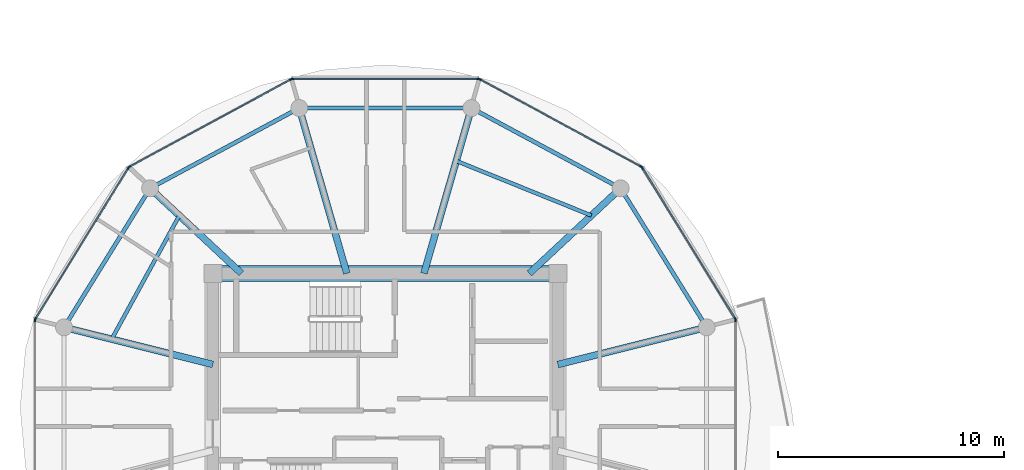
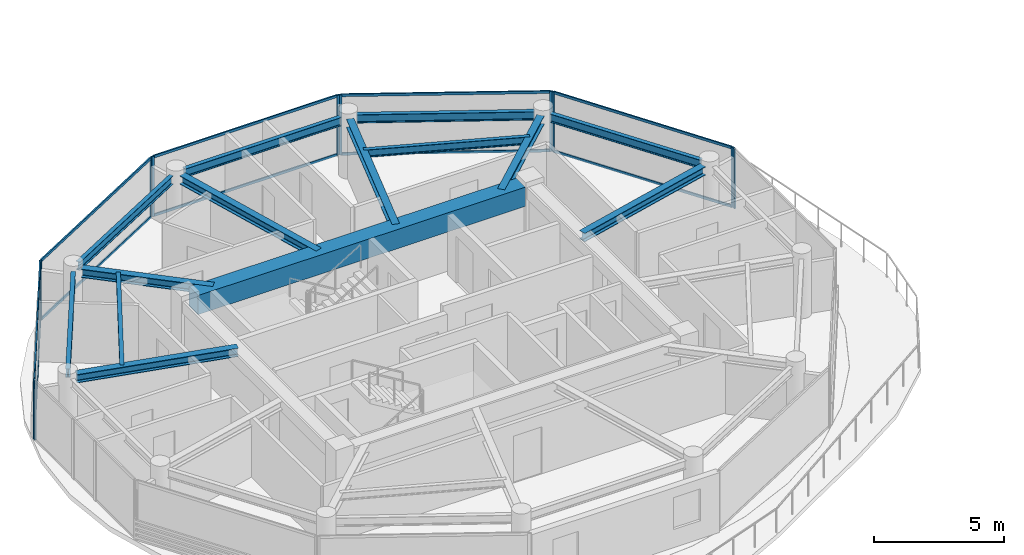
# One storey, part 4 of 19: 22 members, 14 beams, 7 elements without a shape of their own.
"""IFC4 building model written with IfcOpenShell, lengths in metres."""

from ifc_helpers import new_model, si_unit, direction, frame, origin, origin_2d, place, context, subcontext, project, spatial, rectangle, i_section, extrude, source, transform, mapped, material, layer, layer_set, material_profile, profile_set, type_object, type_shapes, element, aggregate, save


model = new_model("IFC4")

# Units and contexts
model_context = context("Model", 3, precision=1e-05, world=origin(), true_north=direction((0.0, 1.0)))
body_context = subcontext(model_context, "Body", "Model", "MODEL_VIEW")
ifc_project = project(units=[si_unit("LENGTHUNIT", "METRE"), si_unit("AREAUNIT", "SQUARE_METRE"), si_unit("VOLUMEUNIT", "CUBIC_METRE"), si_unit("PLANEANGLEUNIT", "RADIAN"), si_unit("MASSUNIT", "GRAM", prefix="KILO")], contexts=[model_context])

# Site, building, storey
site_placement = place(None, origin())
site = spatial("IfcSite", under=ifc_project, at=site_placement, CompositionType="ELEMENT")
building_placement = place(site_placement, origin())
building = spatial("IfcBuilding", under=site, at=building_placement, Name="Norrkilde Senior Care Towers", CompositionType="ELEMENT")
storey_placement = place(building_placement, frame((0.0, 0.0, 238.300048828125)))
storey = spatial("IfcBuildingStorey", under=building, at=storey_placement, Name="L74", CompositionType="ELEMENT", Elevation=238.300048828125)

# Beams
ifc_material_1 = material(Name="Concrete C60/75", Category="concrete")
ifc_material_profile_1 = material_profile(ifc_material_1, rectangle(XDim=0.699951171875, YDim=0.89990234375, at=origin_2d()), Name="RC BM 700x900")
ifc_profile_set_1 = profile_set([ifc_material_profile_1], Name="Concrete C60/75")
beam_type_1 = type_object("IfcBeamType", Name="Core Coupling Girder 700x900", PredefinedType="USERDEFINED", material=ifc_profile_set_1)
shared_shape_1 = source(origin(), body_context, "Body", "SweptSolid", [
    extrude(rectangle(XDim=0.699951171875, YDim=0.89990234375, at=origin_2d()), origin(), (0.0, 0.0, 1.0), 14.5400390625),
])
type_shapes(beam_type_1, [shared_shape_1])
beam_1_placement = place(storey_placement, frame((-35.27001953125, 5.949951171875, 2.35986328125), z_axis=(1.0, 0.0, 0.0), x_axis=(0.0, 1.0, 0.0)))
element("IfcBeam", 1, at=beam_1_placement, inside=storey, type_object=beam_type_1, Name="L74 Core W N Coupling Girder", ObjectType="GIRDER", PredefinedType="USERDEFINED", context=body_context, shape_type="MappedRepresentation", body=[
    mapped(shared_shape_1, transform((0.0, 0.0, 0.0), x_axis=(1.0, 0.0, 0.0), y_axis=(0.0, 1.0, 0.0), z_axis=(0.0, 0.0, 1.0), scale=1.0)),
])
ifc_material_2 = material(Name="Steel S355", Category="steel")
ifc_material_profile_2 = material_profile(ifc_material_2, i_section(OverallWidth=0.179931640625, OverallDepth=0.39990234375, WebThickness=0.008544921875, FlangeThickness=0.013427734375, FilletRadius=0.02099609375, at=origin_2d()), Name="IPE 400")
ifc_profile_set_2 = profile_set([ifc_material_profile_2], Name="Steel S355")
beam_type_2 = type_object("IfcBeamType", Name="Perimeter Ring Spandrel Z4 IPE400", PredefinedType="SPANDREL", material=ifc_profile_set_2)
shared_shape_2 = source(origin(), body_context, "Body", "SweptSolid", [
    extrude(i_section(OverallWidth=0.179931640625, OverallDepth=0.39990234375, WebThickness=0.008544921875, FlangeThickness=0.013427734375, FilletRadius=0.02099609375, at=origin_2d()), origin(), (0.0, 0.0, 1.0), 6.58056640625),
])
for number, where, z_axis, x_axis, name in (
    (2, (-13.928955078125, 3.843505859375, 2.60986328125), (-0.526529583789, 0.850156807533, 0.0), (-0.850156807533, -0.526529583789, 0.0), "L74 Drum W Perimeter Spandrel 01"),
    (3, (-38.606201171875, 9.43798828125, 2.60986328125), (-0.526529583789, -0.850156807533, 0.0), (0.850156807533, -0.526529583789, 0.0), "L74 Drum W Perimeter Spandrel 05"),
):
    element("IfcBeam", number, at=place(storey_placement, frame(where, z_axis=z_axis, x_axis=x_axis)), inside=storey, type_object=beam_type_2, Name=name, PredefinedType="SPANDREL", context=body_context, shape_type="MappedRepresentation", body=[
        mapped(shared_shape_2, transform((0.0, 0.0, 0.0), x_axis=(1.0, 0.0, 0.0), y_axis=(0.0, 1.0, 0.0), z_axis=(0.0, 0.0, 1.0), scale=1.0)),
    ])
ifc_material_profile_3 = material_profile(ifc_material_2, i_section(OverallWidth=0.300048828125, OverallDepth=0.39990234375, WebThickness=0.013427734375, FlangeThickness=0.02392578125, FilletRadius=0.027099609375, at=origin_2d()), Name="HEB 400")
ifc_profile_set_3 = profile_set([ifc_material_profile_3], Name="Steel S355")
beam_type_3 = type_object("IfcBeamType", Name="Radial Floor Beam Z4 HEB400", PredefinedType="BEAM", material=ifc_profile_set_3)
shared_shape_3 = source(origin(), body_context, "Body", "SweptSolid", [
    extrude(i_section(OverallWidth=0.300048828125, OverallDepth=0.39990234375, WebThickness=0.013427734375, FlangeThickness=0.02392578125, FilletRadius=0.027099609375, at=origin_2d()), origin(), (0.0, 0.0, 1.0), 6.465087890625),
])
for number, where, z_axis, x_axis, name in (
    (4, (-20.35009765625, 1.910888671875, 2.60986328125), (0.970195788563, 0.242322371758, 0.0), (-0.242322371758, 0.970195788563, 0.0), "L74 Drum W Radial Floor Beam 01"),
    (5, (-35.64990234375, 1.910888671875, 2.60986328125), (-0.970195788563, 0.242322371758, 0.0), (-0.242322371758, -0.970195788563, 0.0), "L74 Drum W Radial Floor Beam 06"),
):
    element("IfcBeam", number, at=place(storey_placement, frame(where, z_axis=z_axis, x_axis=x_axis)), inside=storey, type_object=beam_type_3, Name=name, PredefinedType="BEAM", context=body_context, shape_type="MappedRepresentation", body=[
        mapped(shared_shape_3, transform((0.0, 0.0, 0.0), x_axis=(1.0, 0.0, 0.0), y_axis=(0.0, 1.0, 0.0), z_axis=(0.0, 0.0, 1.0), scale=1.0)),
    ])
shared_shape_4 = source(origin(), body_context, "Body", "SweptSolid", [
    extrude(i_section(OverallWidth=0.179931640625, OverallDepth=0.39990234375, WebThickness=0.008544921875, FlangeThickness=0.013427734375, FilletRadius=0.02099609375, at=origin_2d()), origin(), (0.0, 0.0, 1.0), 6.839111328125),
])
for number, where, z_axis, x_axis, name in (
    (6, (-17.865234375, 9.881591796875, 2.60986328125), (-0.880563930732, 0.473927382511, 0.0), (-0.473927382511, -0.880563930732, 0.0), "L74 Drum W Perimeter Spandrel 02"),
    (7, (-32.112548828125, 13.122802734375, 2.60986328125), (-0.880563930732, -0.473927382511, 0.0), (0.473927382511, -0.880563930732, 0.0), "L74 Drum W Perimeter Spandrel 04"),
):
    element("IfcBeam", number, at=place(storey_placement, frame(where, z_axis=z_axis, x_axis=x_axis)), inside=storey, type_object=beam_type_2, Name=name, PredefinedType="SPANDREL", context=body_context, shape_type="MappedRepresentation", body=[
        mapped(shared_shape_4, transform((0.0, 0.0, 0.0), x_axis=(1.0, 0.0, 0.0), y_axis=(0.0, 1.0, 0.0), z_axis=(0.0, 0.0, 1.0), scale=1.0)),
    ])
shared_shape_5 = source(origin(), body_context, "Body", "SweptSolid", [
    extrude(i_section(OverallWidth=0.300048828125, OverallDepth=0.39990234375, WebThickness=0.013427734375, FlangeThickness=0.02392578125, FilletRadius=0.027099609375, at=origin_2d()), origin(), (0.0, 0.0, 1.0), 5.197998046875),
])
for number, where, z_axis, x_axis, name in (
    (8, (-21.6171875, 5.949951171875, 2.60986328125), (0.731448749334, 0.681896419625, 0.0), (-0.681896419625, 0.731448749334, 0.0), "L74 Drum W Radial Floor Beam 02"),
    (9, (-34.3828125, 5.949951171875, 2.60986328125), (-0.731448749334, 0.681896419625, 0.0), (-0.681896419625, -0.731448749334, 0.0), "L74 Drum W Radial Floor Beam 05"),
):
    element("IfcBeam", number, at=place(storey_placement, frame(where, z_axis=z_axis, x_axis=x_axis)), inside=storey, type_object=beam_type_3, Name=name, PredefinedType="BEAM", context=body_context, shape_type="MappedRepresentation", body=[
        mapped(shared_shape_5, transform((0.0, 0.0, 0.0), x_axis=(1.0, 0.0, 0.0), y_axis=(0.0, 1.0, 0.0), z_axis=(0.0, 0.0, 1.0), scale=1.0)),
    ])
shared_shape_6 = source(origin(), body_context, "Body", "SweptSolid", [
    extrude(i_section(OverallWidth=0.179931640625, OverallDepth=0.39990234375, WebThickness=0.008544921875, FlangeThickness=0.013427734375, FilletRadius=0.02099609375, at=origin_2d()), origin(), (0.0, 0.0, 1.0), 6.96533203125),
])
type_shapes(beam_type_2, [shared_shape_2, shared_shape_4, shared_shape_6])
beam_2_placement = place(storey_placement, frame((-24.517333984375, 13.281494140625, 2.60986328125), z_axis=(-1.0, 0.0, 0.0), x_axis=(0.0, -1.0, 0.0)))
element("IfcBeam", 10, at=beam_2_placement, inside=storey, type_object=beam_type_2, Name="L74 Drum W Perimeter Spandrel 03", PredefinedType="SPANDREL", context=body_context, shape_type="MappedRepresentation", body=[
    mapped(shared_shape_6, transform((0.0, 0.0, 0.0), x_axis=(1.0, 0.0, 0.0), y_axis=(0.0, 1.0, 0.0), z_axis=(0.0, 0.0, 1.0), scale=1.0)),
])
shared_shape_7 = source(origin(), body_context, "Body", "SweptSolid", [
    extrude(i_section(OverallWidth=0.300048828125, OverallDepth=0.39990234375, WebThickness=0.013427734375, FlangeThickness=0.02392578125, FilletRadius=0.027099609375, at=origin_2d()), origin(), (0.0, 0.0, 1.0), 7.29345703125),
])
type_shapes(beam_type_3, [shared_shape_3, shared_shape_5, shared_shape_7])
for number, where, z_axis, x_axis, name in (
    (11, (-26.289794921875, 5.949951171875, 2.60986328125), (0.276263751906, 0.961081858836, 0.0), (-0.961081858836, 0.276263751906, 0.0), "L74 Drum W Radial Floor Beam 03"),
    (12, (-29.710205078125, 5.949951171875, 2.60986328125), (-0.276263751906, 0.961081858836, 0.0), (-0.961081858836, -0.276263751906, 0.0), "L74 Drum W Radial Floor Beam 04"),
):
    element("IfcBeam", number, at=place(storey_placement, frame(where, z_axis=z_axis, x_axis=x_axis)), inside=storey, type_object=beam_type_3, Name=name, PredefinedType="BEAM", context=body_context, shape_type="MappedRepresentation", body=[
        mapped(shared_shape_7, transform((0.0, 0.0, 0.0), x_axis=(1.0, 0.0, 0.0), y_axis=(0.0, 1.0, 0.0), z_axis=(0.0, 0.0, 1.0), scale=1.0)),
    ])
ifc_material_profile_4 = material_profile(ifc_material_2, i_section(OverallWidth=0.169921875, OverallDepth=0.360107421875, WebThickness=0.008056640625, FlangeThickness=0.0126953125, FilletRadius=0.01806640625, at=origin_2d()), Name="IPE 360")
ifc_profile_set_4 = profile_set([ifc_material_profile_4], Name="Steel S355")
beam_type_4 = type_object("IfcBeamType", Name="Secondary Floor Joist IPE360", PredefinedType="JOIST", material=ifc_profile_set_4)
shared_shape_8 = source(origin(), body_context, "Body", "SweptSolid", [
    extrude(i_section(OverallWidth=0.169921875, OverallDepth=0.360107421875, WebThickness=0.008056640625, FlangeThickness=0.0126953125, FilletRadius=0.01806640625, at=origin_2d()), origin(), (0.0, 0.0, 1.0), 6.461669921875),
])
beam_3_placement = place(storey_placement, frame((-18.865234375, 8.515380859375, 2.6298828125), z_axis=(-0.927225942298, 0.374502405772, 0.0), x_axis=(-0.374502405772, -0.927225942298, 0.0)))
element("IfcBeam", 13, at=beam_3_placement, inside=storey, type_object=beam_type_4, Name="L74 Drum W Secondary Floor Joist 1", PredefinedType="JOIST", context=body_context, shape_type="MappedRepresentation", body=[
    mapped(shared_shape_8, transform((0.0, 0.0, 0.0), x_axis=(1.0, 0.0, 0.0), y_axis=(0.0, 1.0, 0.0), z_axis=(0.0, 0.0, 1.0), scale=1.0)),
])
shared_shape_9 = source(origin(), body_context, "Body", "SweptSolid", [
    extrude(i_section(OverallWidth=0.169921875, OverallDepth=0.360107421875, WebThickness=0.008056640625, FlangeThickness=0.0126953125, FilletRadius=0.01806640625, at=origin_2d()), origin(), (0.0, 0.0, 1.0), 6.25146484375),
])
type_shapes(beam_type_4, [shared_shape_8, shared_shape_9])
beam_4_placement = place(storey_placement, frame((-37.134765625, 8.515380859375, 2.6298828125), z_axis=(-0.480115752653, -0.877205143655, 0.0), x_axis=(0.877205143655, -0.480115752653, 0.0)))
element("IfcBeam", 14, at=beam_4_placement, inside=storey, type_object=beam_type_4, Name="L74 Drum W Secondary Floor Joist 2", PredefinedType="JOIST", context=body_context, shape_type="MappedRepresentation", body=[
    mapped(shared_shape_9, transform((0.0, 0.0, 0.0), x_axis=(1.0, 0.0, 0.0), y_axis=(0.0, 1.0, 0.0), z_axis=(0.0, 0.0, 1.0), scale=1.0)),
])

# Curtain wall, members
ifc_material_3 = material(Name="Triple Low-E Insulated Glazing", Category="glass")
ifc_layer = layer(ifc_material_3, 0.18505859375)
ifc_layer_set = layer_set([ifc_layer], Name="Triple Low-E Insulated Glazing")
curtain_wall_type = type_object("IfcCurtainWallType", Name="CW6 Zone 4 Crown Pavilion Curtain Wall", PredefinedType="NOTDEFINED", material=ifc_layer_set)
curtain_wall_1_placement = place(storey_placement, origin())
curtain_wall_1 = element("IfcCurtainWall", 15, at=curtain_wall_1_placement, inside=storey, type_object=curtain_wall_type, Name="L74 Drum W Curtain Wall 00", PredefinedType="NOTDEFINED")
ifc_material_4 = material(Name="Anodised Aluminium", Category="aluminium")
ifc_material_profile_5 = material_profile(ifc_material_4, rectangle(XDim=0.06494140625, YDim=0.14990234375, at=origin_2d()), Name="ALU MULL 65x150")
ifc_profile_set_5 = profile_set([ifc_material_profile_5], Name="Anodised Aluminium")
member_type_1 = type_object("IfcMemberType", Name="Curtain Wall Mullion Z3-Z4 65x150", PredefinedType="MULLION", material=ifc_profile_set_5)
shared_shape_10 = source(origin(), body_context, "Body", "SweptSolid", [
    extrude(rectangle(XDim=0.06494140625, YDim=0.14990234375, at=origin_2d()), origin(), (0.0, 0.0, 1.0), 2.81005859375),
])
type_shapes(member_type_1, [shared_shape_10])
member_1_placement = place(storey_placement, frame((-16.61279296875, 10.635498046875, 0.0), z_axis=(0.0, 0.0, 1.0), x_axis=(0.851562727283, 0.524252726748, 0.0)))
member_1 = element("IfcMember", 16, at=member_1_placement, type_object=member_type_1, Name="CW-6 mullion 1", PredefinedType="MULLION", context=body_context, shape_type="MappedRepresentation", body=[
    mapped(shared_shape_10, transform((0.0, 0.0, 0.0), x_axis=(1.0, 0.0, 0.0), y_axis=(0.0, 1.0, 0.0), z_axis=(0.0, 0.0, 1.0), scale=1.0)),
])
member_2_placement = place(storey_placement, frame((-12.48486328125, 3.9306640625, 0.0), z_axis=(0.0, 0.0, 1.0), x_axis=(0.851562727283, 0.524252726748, 0.0)))
member_2 = element("IfcMember", 17, at=member_2_placement, type_object=member_type_1, Name="CW-6 mullion 2", PredefinedType="MULLION", context=body_context, shape_type="MappedRepresentation", body=[
    mapped(shared_shape_10, transform((0.0, 0.0, 0.0), x_axis=(1.0, 0.0, 0.0), y_axis=(0.0, 1.0, 0.0), z_axis=(0.0, 0.0, 1.0), scale=1.0)),
])

curtain_wall_2_placement = place(storey_placement, origin())
curtain_wall_2 = element("IfcCurtainWall", 18, at=curtain_wall_2_placement, inside=storey, type_object=curtain_wall_type, Name="L74 Drum W Curtain Wall 01", PredefinedType="NOTDEFINED")
member_3_placement = place(storey_placement, frame((-23.8095703125, 14.55078125, 0.0), z_axis=(0.0, 0.0, 1.0), x_axis=(0.476132676136, 0.879373455772, 0.0)))
member_3 = element("IfcMember", 19, at=member_3_placement, type_object=member_type_1, Name="CW-6 mullion 1", PredefinedType="MULLION", context=body_context, shape_type="MappedRepresentation", body=[
    mapped(shared_shape_10, transform((0.0, 0.0, 0.0), x_axis=(1.0, 0.0, 0.0), y_axis=(0.0, 1.0, 0.0), z_axis=(0.0, 0.0, 1.0), scale=1.0)),
])
member_4_placement = place(storey_placement, frame((-16.658203125, 10.6787109375, 0.0), z_axis=(0.0, 0.0, 1.0), x_axis=(0.476132676136, 0.879373455772, 0.0)))
member_4 = element("IfcMember", 20, at=member_4_placement, type_object=member_type_1, Name="CW-6 mullion 2", PredefinedType="MULLION", context=body_context, shape_type="MappedRepresentation", body=[
    mapped(shared_shape_10, transform((0.0, 0.0, 0.0), x_axis=(1.0, 0.0, 0.0), y_axis=(0.0, 1.0, 0.0), z_axis=(0.0, 0.0, 1.0), scale=1.0)),
])

curtain_wall_3_placement = place(storey_placement, origin())
curtain_wall_3 = element("IfcCurtainWall", 21, at=curtain_wall_3_placement, inside=storey, type_object=curtain_wall_type, Name="L74 Drum W Curtain Wall 02", PredefinedType="NOTDEFINED")
member_5_placement = place(storey_placement, frame((-32.12939453125, 14.566162109375, 0.0), z_axis=(0.0, 0.0, 1.0), x_axis=(0.0, 1.0, 0.0)))
member_5 = element("IfcMember", 22, at=member_5_placement, type_object=member_type_1, Name="CW-6 mullion 1", PredefinedType="MULLION", context=body_context, shape_type="MappedRepresentation", body=[
    mapped(shared_shape_10, transform((0.0, 0.0, 0.0), x_axis=(1.0, 0.0, 0.0), y_axis=(0.0, 1.0, 0.0), z_axis=(0.0, 0.0, 1.0), scale=1.0)),
])
member_6_placement = place(storey_placement, frame((-23.87060546875, 14.566162109375, 0.0), z_axis=(0.0, 0.0, 1.0), x_axis=(0.0, 1.0, 0.0)))
member_6 = element("IfcMember", 23, at=member_6_placement, type_object=member_type_1, Name="CW-6 mullion 2", PredefinedType="MULLION", context=body_context, shape_type="MappedRepresentation", body=[
    mapped(shared_shape_10, transform((0.0, 0.0, 0.0), x_axis=(1.0, 0.0, 0.0), y_axis=(0.0, 1.0, 0.0), z_axis=(0.0, 0.0, 1.0), scale=1.0)),
])

curtain_wall_4_placement = place(storey_placement, origin())
curtain_wall_4 = element("IfcCurtainWall", 24, at=curtain_wall_4_placement, inside=storey, type_object=curtain_wall_type, Name="L74 Drum W Curtain Wall 03", PredefinedType="NOTDEFINED")
member_7_placement = place(storey_placement, frame((-39.341796875, 10.6787109375, 0.0), z_axis=(0.0, 0.0, 1.0), x_axis=(-0.476132676136, 0.879373455772, 0.0)))
member_7 = element("IfcMember", 25, at=member_7_placement, type_object=member_type_1, Name="CW-6 mullion 1", PredefinedType="MULLION", context=body_context, shape_type="MappedRepresentation", body=[
    mapped(shared_shape_10, transform((0.0, 0.0, 0.0), x_axis=(1.0, 0.0, 0.0), y_axis=(0.0, 1.0, 0.0), z_axis=(0.0, 0.0, 1.0), scale=1.0)),
])
member_8_placement = place(storey_placement, frame((-32.1904296875, 14.55078125, 0.0), z_axis=(0.0, 0.0, 1.0), x_axis=(-0.476132676136, 0.879373455772, 0.0)))
member_8 = element("IfcMember", 26, at=member_8_placement, type_object=member_type_1, Name="CW-6 mullion 2", PredefinedType="MULLION", context=body_context, shape_type="MappedRepresentation", body=[
    mapped(shared_shape_10, transform((0.0, 0.0, 0.0), x_axis=(1.0, 0.0, 0.0), y_axis=(0.0, 1.0, 0.0), z_axis=(0.0, 0.0, 1.0), scale=1.0)),
])

curtain_wall_5_placement = place(storey_placement, origin())
curtain_wall_5 = element("IfcCurtainWall", 27, at=curtain_wall_5_placement, inside=storey, type_object=curtain_wall_type, Name="L74 Drum W Curtain Wall 04", PredefinedType="NOTDEFINED")
member_9_placement = place(storey_placement, frame((-43.51513671875, 3.9306640625, 0.0), z_axis=(0.0, 0.0, 1.0), x_axis=(-0.851562727283, 0.524252726748, 0.0)))
member_9 = element("IfcMember", 28, at=member_9_placement, type_object=member_type_1, Name="CW-6 mullion 1", PredefinedType="MULLION", context=body_context, shape_type="MappedRepresentation", body=[
    mapped(shared_shape_10, transform((0.0, 0.0, 0.0), x_axis=(1.0, 0.0, 0.0), y_axis=(0.0, 1.0, 0.0), z_axis=(0.0, 0.0, 1.0), scale=1.0)),
])
member_10_placement = place(storey_placement, frame((-39.38720703125, 10.635498046875, 0.0), z_axis=(0.0, 0.0, 1.0), x_axis=(-0.851562727283, 0.524252726748, 0.0)))
member_10 = element("IfcMember", 29, at=member_10_placement, type_object=member_type_1, Name="CW-6 mullion 2", PredefinedType="MULLION", context=body_context, shape_type="MappedRepresentation", body=[
    mapped(shared_shape_10, transform((0.0, 0.0, 0.0), x_axis=(1.0, 0.0, 0.0), y_axis=(0.0, 1.0, 0.0), z_axis=(0.0, 0.0, 1.0), scale=1.0)),
])

# Curtain wall, member
curtain_wall_6_placement = place(storey_placement, origin())
curtain_wall_6 = element("IfcCurtainWall", 30, at=curtain_wall_6_placement, inside=storey, type_object=curtain_wall_type, Name="L74 Drum W Curtain Wall 05", PredefinedType="NOTDEFINED")
member_11_placement = place(storey_placement, frame((-43.531982421875, 3.87060546875, 0.0), z_axis=(0.0, 0.0, 1.0), x_axis=(-1.0, 0.0, 0.0)))
member_11 = element("IfcMember", 31, at=member_11_placement, type_object=member_type_1, Name="CW-6 mullion 2", PredefinedType="MULLION", context=body_context, shape_type="MappedRepresentation", body=[
    mapped(shared_shape_10, transform((0.0, 0.0, 0.0), x_axis=(1.0, 0.0, 0.0), y_axis=(0.0, 1.0, 0.0), z_axis=(0.0, 0.0, 1.0), scale=1.0)),
])
aggregate(curtain_wall_6, [member_11])

curtain_wall_7_placement = place(storey_placement, origin())
curtain_wall_7 = element("IfcCurtainWall", 32, at=curtain_wall_7_placement, inside=storey, type_object=curtain_wall_type, Name="L74 Drum W Curtain Wall 11", PredefinedType="NOTDEFINED")
member_12_placement = place(storey_placement, frame((-12.468017578125, 3.87060546875, 0.0), z_axis=(0.0, 0.0, 1.0), x_axis=(1.0, 0.0, 0.0)))
member_12 = element("IfcMember", 33, at=member_12_placement, type_object=member_type_1, Name="CW-6 mullion 1", PredefinedType="MULLION", context=body_context, shape_type="MappedRepresentation", body=[
    mapped(shared_shape_10, transform((0.0, 0.0, 0.0), x_axis=(1.0, 0.0, 0.0), y_axis=(0.0, 1.0, 0.0), z_axis=(0.0, 0.0, 1.0), scale=1.0)),
])
aggregate(curtain_wall_7, [member_12])

# Member
ifc_material_profile_6 = material_profile(ifc_material_4, rectangle(XDim=0.06005859375, YDim=0.1201171875, at=origin_2d()), Name="ALU TRAN 60x120")
ifc_profile_set_6 = profile_set([ifc_material_profile_6], Name="Anodised Aluminium")
member_type_2 = type_object("IfcMemberType", Name="Curtain Wall Transom Typical 60x120", PredefinedType="USERDEFINED", material=ifc_profile_set_6)
shared_shape_11 = source(origin(), body_context, "Body", "SweptSolid", [
    extrude(rectangle(XDim=0.06005859375, YDim=0.1201171875, at=origin_2d()), origin(), (0.0, 0.0, 1.0), 7.808837890625),
])
member_13_placement = place(storey_placement, frame((-16.595703125, 10.60791015625, 0.030029296875), z_axis=(0.524250924101, -0.851563837055, 0.0), x_axis=(0.851563837055, 0.524250924101, 0.0)))
member_13 = element("IfcMember", 34, at=member_13_placement, type_object=member_type_2, Name="CW-6 transom 1.1", ObjectType="TRANSOM", PredefinedType="USERDEFINED", context=body_context, shape_type="MappedRepresentation", body=[
    mapped(shared_shape_11, transform((0.0, 0.0, 0.0), x_axis=(1.0, 0.0, 0.0), y_axis=(0.0, 1.0, 0.0), z_axis=(0.0, 0.0, 1.0), scale=1.0)),
])

member_14_placement = place(storey_placement, frame((-16.595703125, 10.60791015625, 2.780029296875), z_axis=(0.524250924101, -0.851563837055, 0.0), x_axis=(0.851563837055, 0.524250924101, 0.0)))
member_14 = element("IfcMember", 35, at=member_14_placement, type_object=member_type_2, Name="CW-6 transom 1.2", ObjectType="TRANSOM", PredefinedType="USERDEFINED", context=body_context, shape_type="MappedRepresentation", body=[
    mapped(shared_shape_11, transform((0.0, 0.0, 0.0), x_axis=(1.0, 0.0, 0.0), y_axis=(0.0, 1.0, 0.0), z_axis=(0.0, 0.0, 1.0), scale=1.0)),
])

aggregate(curtain_wall_1, [member_1, member_2, member_13, member_14])

member_15_placement = place(storey_placement, frame((-43.498046875, 3.958251953125, 0.030029296875), z_axis=(0.524250924101, 0.851563837055, 0.0), x_axis=(-0.851563837055, 0.524250924101, 0.0)))
member_15 = element("IfcMember", 36, at=member_15_placement, type_object=member_type_2, Name="CW-6 transom 1.1", ObjectType="TRANSOM", PredefinedType="USERDEFINED", context=body_context, shape_type="MappedRepresentation", body=[
    mapped(shared_shape_11, transform((0.0, 0.0, 0.0), x_axis=(1.0, 0.0, 0.0), y_axis=(0.0, 1.0, 0.0), z_axis=(0.0, 0.0, 1.0), scale=1.0)),
])

member_16_placement = place(storey_placement, frame((-43.498046875, 3.958251953125, 2.780029296875), z_axis=(0.524250924101, 0.851563837055, 0.0), x_axis=(-0.851563837055, 0.524250924101, 0.0)))
member_16 = element("IfcMember", 37, at=member_16_placement, type_object=member_type_2, Name="CW-6 transom 1.2", ObjectType="TRANSOM", PredefinedType="USERDEFINED", context=body_context, shape_type="MappedRepresentation", body=[
    mapped(shared_shape_11, transform((0.0, 0.0, 0.0), x_axis=(1.0, 0.0, 0.0), y_axis=(0.0, 1.0, 0.0), z_axis=(0.0, 0.0, 1.0), scale=1.0)),
])

aggregate(curtain_wall_5, [member_9, member_10, member_15, member_16])

shared_shape_12 = source(origin(), body_context, "Body", "SweptSolid", [
    extrude(rectangle(XDim=0.06005859375, YDim=0.1201171875, at=origin_2d()), origin(), (0.0, 0.0, 1.0), 8.19384765625),
])
member_17_placement = place(storey_placement, frame((-32.096923828125, 14.566162109375, 0.030029296875), z_axis=(1.0, 0.0, 0.0), x_axis=(0.0, 1.0, 0.0)))
member_17 = element("IfcMember", 38, at=member_17_placement, type_object=member_type_2, Name="CW-6 transom 1.1", ObjectType="TRANSOM", PredefinedType="USERDEFINED", context=body_context, shape_type="MappedRepresentation", body=[
    mapped(shared_shape_12, transform((0.0, 0.0, 0.0), x_axis=(1.0, 0.0, 0.0), y_axis=(0.0, 1.0, 0.0), z_axis=(0.0, 0.0, 1.0), scale=1.0)),
])

member_18_placement = place(storey_placement, frame((-32.096923828125, 14.566162109375, 2.780029296875), z_axis=(1.0, 0.0, 0.0), x_axis=(0.0, 1.0, 0.0)))
member_18 = element("IfcMember", 39, at=member_18_placement, type_object=member_type_2, Name="CW-6 transom 1.2", ObjectType="TRANSOM", PredefinedType="USERDEFINED", context=body_context, shape_type="MappedRepresentation", body=[
    mapped(shared_shape_12, transform((0.0, 0.0, 0.0), x_axis=(1.0, 0.0, 0.0), y_axis=(0.0, 1.0, 0.0), z_axis=(0.0, 0.0, 1.0), scale=1.0)),
])

aggregate(curtain_wall_3, [member_5, member_6, member_17, member_18])

shared_shape_13 = source(origin(), body_context, "Body", "SweptSolid", [
    extrude(rectangle(XDim=0.06005859375, YDim=0.1201171875, at=origin_2d()), origin(), (0.0, 0.0, 1.0), 8.0673828125),
])
type_shapes(member_type_2, [shared_shape_11, shared_shape_12, shared_shape_13])
member_19_placement = place(storey_placement, frame((-23.781005859375, 14.53515625, 0.030029296875), z_axis=(0.87937750072, -0.476125205411, 0.0), x_axis=(0.476125205411, 0.87937750072, 0.0)))
member_19 = element("IfcMember", 40, at=member_19_placement, type_object=member_type_2, Name="CW-6 transom 1.1", ObjectType="TRANSOM", PredefinedType="USERDEFINED", context=body_context, shape_type="MappedRepresentation", body=[
    mapped(shared_shape_13, transform((0.0, 0.0, 0.0), x_axis=(1.0, 0.0, 0.0), y_axis=(0.0, 1.0, 0.0), z_axis=(0.0, 0.0, 1.0), scale=1.0)),
])

member_20_placement = place(storey_placement, frame((-23.781005859375, 14.53515625, 2.780029296875), z_axis=(0.87937750072, -0.476125205411, 0.0), x_axis=(0.476125205411, 0.87937750072, 0.0)))
member_20 = element("IfcMember", 41, at=member_20_placement, type_object=member_type_2, Name="CW-6 transom 1.2", ObjectType="TRANSOM", PredefinedType="USERDEFINED", context=body_context, shape_type="MappedRepresentation", body=[
    mapped(shared_shape_13, transform((0.0, 0.0, 0.0), x_axis=(1.0, 0.0, 0.0), y_axis=(0.0, 1.0, 0.0), z_axis=(0.0, 0.0, 1.0), scale=1.0)),
])

aggregate(curtain_wall_2, [member_3, member_4, member_19, member_20])

member_21_placement = place(storey_placement, frame((-39.313232421875, 10.694091796875, 0.030029296875), z_axis=(0.87937750072, 0.476125205411, 0.0), x_axis=(-0.476125205411, 0.87937750072, 0.0)))
member_21 = element("IfcMember", 42, at=member_21_placement, type_object=member_type_2, Name="CW-6 transom 1.1", ObjectType="TRANSOM", PredefinedType="USERDEFINED", context=body_context, shape_type="MappedRepresentation", body=[
    mapped(shared_shape_13, transform((0.0, 0.0, 0.0), x_axis=(1.0, 0.0, 0.0), y_axis=(0.0, 1.0, 0.0), z_axis=(0.0, 0.0, 1.0), scale=1.0)),
])

member_22_placement = place(storey_placement, frame((-39.313232421875, 10.694091796875, 2.780029296875), z_axis=(0.87937750072, 0.476125205411, 0.0), x_axis=(-0.476125205411, 0.87937750072, 0.0)))
member_22 = element("IfcMember", 43, at=member_22_placement, type_object=member_type_2, Name="CW-6 transom 1.2", ObjectType="TRANSOM", PredefinedType="USERDEFINED", context=body_context, shape_type="MappedRepresentation", body=[
    mapped(shared_shape_13, transform((0.0, 0.0, 0.0), x_axis=(1.0, 0.0, 0.0), y_axis=(0.0, 1.0, 0.0), z_axis=(0.0, 0.0, 1.0), scale=1.0)),
])

aggregate(curtain_wall_4, [member_7, member_8, member_21, member_22])

save(model, "model.ifc")
